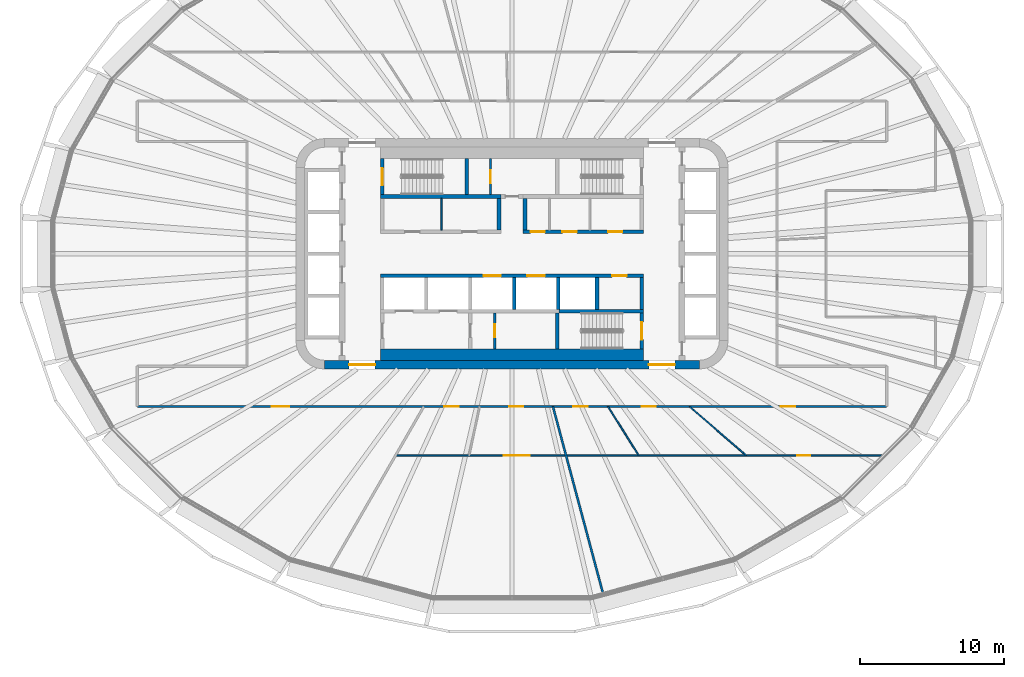
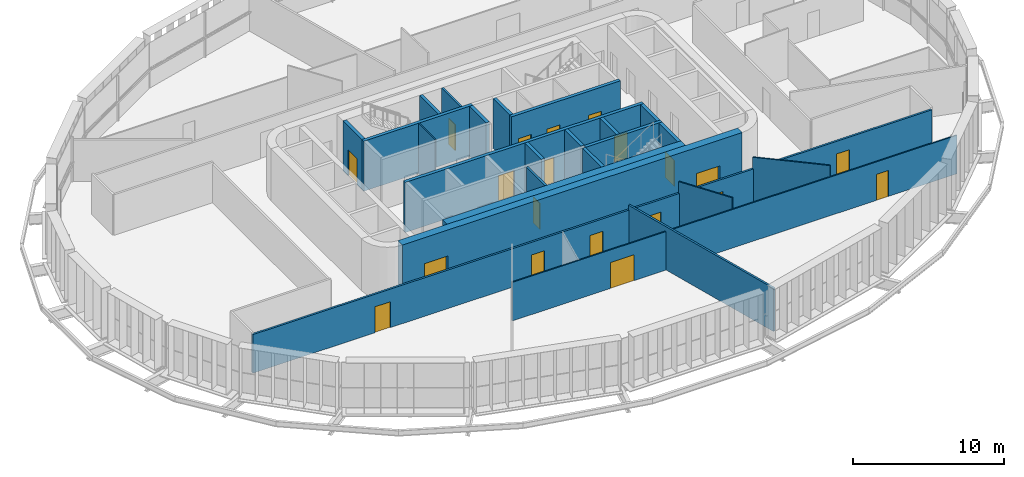
# One storey, part 15 of 25: 24 walls, 20 doors, 20 openings.
"""IFC4 building model written with IfcOpenShell, lengths in metres."""

from ifc_helpers import new_model, si_unit, direction, frame, frame_2d, origin, place, context, subcontext, project, spatial, rectangle, extrude, material, layer, layer_set, type_object, element, fill, save


model = new_model("IFC4")

# Units and contexts
model_context = context("Model", 3, precision=1e-05, world=origin(), true_north=direction((0.0, 1.0)))
body_context = subcontext(model_context, "Body", "Model", "MODEL_VIEW")
ifc_project = project(units=[si_unit("LENGTHUNIT", "METRE"), si_unit("AREAUNIT", "SQUARE_METRE"), si_unit("VOLUMEUNIT", "CUBIC_METRE"), si_unit("PLANEANGLEUNIT", "RADIAN"), si_unit("MASSUNIT", "GRAM", prefix="KILO")], contexts=[model_context])

# Site, building, storey
site_placement = place(None, origin())
site = spatial("IfcSite", under=ifc_project, at=site_placement, CompositionType="ELEMENT")
building_placement = place(site_placement, origin())
building = spatial("IfcBuilding", under=site, at=building_placement, Name="Sahrelin Media Tower", CompositionType="ELEMENT")
storey_placement = place(building_placement, frame((0.0, 0.0, 106.199951171875)))
storey = spatial("IfcBuildingStorey", under=building, at=storey_placement, Name="L20", CompositionType="ELEMENT", Elevation=106.199951171875)

# Wall, openings, doors
ifc_material_1 = material(Name="Concrete C60/75", Category="concrete")
ifc_layer_1 = layer(ifc_material_1, 0.60009765625)
ifc_layer_set_1 = layer_set([ifc_layer_1], Name="Core wall 600")
wall_type_1 = type_object("IfcWallType", Name="Core wall 600", PredefinedType="SHEAR", material=ifc_layer_set_1)
wall_1_placement = place(storey_placement, frame((-13.0, -7.699951171875, 0.0), z_axis=(0.0, 0.0, 1.0), x_axis=(1.0, 0.0, 0.0)))
wall_1 = element("IfcWall", 1, at=wall_1_placement, inside=storey, type_object=wall_type_1, Name="Core wall S L20", PredefinedType="SHEAR", context=body_context, shape_type="SweptSolid", body=[
    extrude(rectangle(XDim=26.0, YDim=0.60009765625, at=frame_2d((13.0, 0.0))), origin(), (0.0, 0.0, 1.0), 4.199951171875),
])
opening_1_placement = place(wall_1_placement, frame((1.699951171875, 0.0, 0.0)))
opening_1 = element("IfcOpeningElement", 2, at=opening_1_placement, cuts=wall_1, Name="Opening L20-D21", PredefinedType="OPENING", context=body_context, shape_type="SweptSolid", body=[
    extrude(rectangle(XDim=1.800048828125, YDim=2.10009765625, at=frame_2d((0.89990234375, 1.050048828125))), frame((0.0, 0.300048828125, 0.0), z_axis=(0.0, -1.0, 0.0), x_axis=(1.0, 0.0, 0.0)), (0.0, 0.0, 1.0), 0.60009765625),
])
opening_2_placement = place(wall_1_placement, frame((22.5, 0.0, 0.0)))
opening_2 = element("IfcOpeningElement", 3, at=opening_2_placement, cuts=wall_1, Name="Opening L20-D22", PredefinedType="OPENING", context=body_context, shape_type="SweptSolid", body=[
    extrude(rectangle(XDim=1.800048828125, YDim=2.10009765625, at=frame_2d((0.89990234375, 1.050048828125))), frame((0.0, 0.300048828125, 0.0), z_axis=(0.0, -1.0, 0.0), x_axis=(1.0, 0.0, 0.0)), (0.0, 0.0, 1.0), 0.60009765625),
])
ifc_material_2 = material(Name="Steel fire door leaf", Category="steel")
door_type_1 = type_object("IfcDoorType", Name="Lobby double door 1800 x 2100 EI 60", OperationType="DOUBLE_DOOR_SINGLE_SWING", PredefinedType="DOOR", material=ifc_material_2)
door_1_placement = place(opening_1_placement, origin())
door_1 = element("IfcDoor", 4, at=door_1_placement, inside=storey, type_object=door_type_1, Name="Lobby door", OperationType="DOUBLE_DOOR_SINGLE_SWING", OverallHeight=2.10009765625, OverallWidth=1.800048828125, PredefinedType="DOOR", context=body_context, shape_type="SweptSolid", body=[
    extrude(rectangle(XDim=1.800048828125, YDim=2.10009765625, at=frame_2d((0.89990234375, 1.050048828125))), frame((0.0, 0.02490234375, 0.0), z_axis=(0.0, -1.0, 0.0), x_axis=(1.0, 0.0, 0.0)), (0.0, 0.0, 1.0), 0.050048828125),
])
fill(opening_1, door_1)
door_2_placement = place(opening_2_placement, origin())
door_2 = element("IfcDoor", 5, at=door_2_placement, inside=storey, type_object=door_type_1, Name="Lobby door", OperationType="DOUBLE_DOOR_SINGLE_SWING", OverallHeight=2.10009765625, OverallWidth=1.800048828125, PredefinedType="DOOR", context=body_context, shape_type="SweptSolid", body=[
    extrude(rectangle(XDim=1.800048828125, YDim=2.10009765625, at=frame_2d((0.89990234375, 1.050048828125))), frame((0.0, 0.02490234375, 0.0), z_axis=(0.0, -1.0, 0.0), x_axis=(1.0, 0.0, 0.0)), (0.0, 0.0, 1.0), 0.050048828125),
])
fill(opening_2, door_2)

ifc_material_3 = material(Name="Fire-rated gypsum board partition")
ifc_layer_2 = layer(ifc_material_3, 0.25)
ifc_layer_set_2 = layer_set([ifc_layer_2], Name="Fire-rated lobby wall 250")
wall_type_2 = type_object("IfcWallType", Name="Fire-rated lobby wall 250", PredefinedType="PARTITIONING", material=ifc_layer_set_2)
wall_2_placement = place(storey_placement, frame((0.77490234375, 1.52490234375, 0.0), z_axis=(0.0, 0.0, 1.0), x_axis=(1.0, 0.0, 0.0)))
wall_2 = element("IfcWall", 6, at=wall_2_placement, inside=storey, type_object=wall_type_2, Name="Core lobby wall", PredefinedType="PARTITIONING", context=body_context, shape_type="SweptSolid", body=[
    extrude(rectangle(XDim=8.35009765625, YDim=0.25, at=frame_2d((4.175048828125, 0.0))), origin(), (0.0, 0.0, 1.0), 4.050048828125),
])
opening_3_placement = place(wall_2_placement, frame((0.512451171875, 0.0, 0.0)))
opening_3 = element("IfcOpeningElement", 7, at=opening_3_placement, cuts=wall_2, Name="Opening L20-D11", PredefinedType="OPENING", context=body_context, shape_type="SweptSolid", body=[
    extrude(rectangle(XDim=1.0, YDim=2.10009765625, at=frame_2d((0.5, 1.050048828125))), frame((0.0, 0.125, 0.0), z_axis=(0.0, -1.0, 0.0), x_axis=(1.0, 0.0, 0.0)), (0.0, 0.0, 1.0), 0.25),
])
opening_4_placement = place(wall_2_placement, frame((2.72509765625, 0.0, 0.0)))
opening_4 = element("IfcOpeningElement", 8, at=opening_4_placement, cuts=wall_2, Name="Opening L20-D12", PredefinedType="OPENING", context=body_context, shape_type="SweptSolid", body=[
    extrude(rectangle(XDim=1.0, YDim=2.10009765625, at=frame_2d((0.5, 1.050048828125))), frame((0.0, 0.125, 0.0), z_axis=(0.0, -1.0, 0.0), x_axis=(1.0, 0.0, 0.0)), (0.0, 0.0, 1.0), 0.25),
])
opening_5_placement = place(wall_2_placement, frame((5.887451171875, 0.0, 0.0)))
opening_5 = element("IfcOpeningElement", 9, at=opening_5_placement, cuts=wall_2, Name="Opening L20-D13", PredefinedType="OPENING", context=body_context, shape_type="SweptSolid", body=[
    extrude(rectangle(XDim=1.0, YDim=2.10009765625, at=frame_2d((0.5, 1.050048828125))), frame((0.0, 0.125, 0.0), z_axis=(0.0, -1.0, 0.0), x_axis=(1.0, 0.0, 0.0)), (0.0, 0.0, 1.0), 0.25),
])
door_type_2 = type_object("IfcDoorType", Name="Fire door 1000 x 2100 EI 60", OperationType="NOTDEFINED", PredefinedType="DOOR", material=ifc_material_2)
door_3_placement = place(opening_3_placement, origin())
door_3 = element("IfcDoor", 10, at=door_3_placement, inside=storey, type_object=door_type_2, Name="Core room door", OperationType="SINGLE_SWING_LEFT", OverallHeight=2.10009765625, OverallWidth=1.0, PredefinedType="DOOR", context=body_context, shape_type="SweptSolid", body=[
    extrude(rectangle(XDim=1.0, YDim=2.10009765625, at=frame_2d((0.5, 1.050048828125))), frame((0.0, 0.02490234375, 0.0), z_axis=(0.0, -1.0, 0.0), x_axis=(1.0, 0.0, 0.0)), (0.0, 0.0, 1.0), 0.050048828125),
])
fill(opening_3, door_3)
door_4_placement = place(opening_4_placement, origin())
door_4 = element("IfcDoor", 11, at=door_4_placement, inside=storey, type_object=door_type_2, Name="Core room door", OperationType="SINGLE_SWING_LEFT", OverallHeight=2.10009765625, OverallWidth=1.0, PredefinedType="DOOR", context=body_context, shape_type="SweptSolid", body=[
    extrude(rectangle(XDim=1.0, YDim=2.10009765625, at=frame_2d((0.5, 1.050048828125))), frame((0.0, 0.02490234375, 0.0), z_axis=(0.0, -1.0, 0.0), x_axis=(1.0, 0.0, 0.0)), (0.0, 0.0, 1.0), 0.050048828125),
])
fill(opening_4, door_4)
door_5_placement = place(opening_5_placement, origin())
door_5 = element("IfcDoor", 12, at=door_5_placement, inside=storey, type_object=door_type_2, Name="Core room door", OperationType="SINGLE_SWING_LEFT", OverallHeight=2.10009765625, OverallWidth=1.0, PredefinedType="DOOR", context=body_context, shape_type="SweptSolid", body=[
    extrude(rectangle(XDim=1.0, YDim=2.10009765625, at=frame_2d((0.5, 1.050048828125))), frame((0.0, 0.02490234375, 0.0), z_axis=(0.0, -1.0, 0.0), x_axis=(1.0, 0.0, 0.0)), (0.0, 0.0, 1.0), 0.050048828125),
])
fill(opening_5, door_5)

# Walls
for number, where, z_axis, x_axis, name in (
    (13, (-0.89990234375, 1.64990234375, 0.0), (0.0, 0.0, 1.0), (0.0, 1.0, 0.0), "Core lobby wall"),
    (14, (0.89990234375, 1.64990234375, 0.0), (0.0, 0.0, 1.0), (0.0, 1.0, 0.0), "Core lobby wall"),
):
    element("IfcWall", number, at=place(storey_placement, frame(where, z_axis=z_axis, x_axis=x_axis)), inside=storey, type_object=wall_type_2, Name=name, PredefinedType="PARTITIONING", context=body_context, shape_type="SweptSolid", body=[
        extrude(rectangle(XDim=2.2001953125, YDim=0.25, at=frame_2d((1.10009765625, 0.0))), origin(), (0.0, 0.0, 1.0), 4.050048828125),
    ])
ifc_layer_3 = layer(ifc_material_3, 0.10009765625)
ifc_layer_set_3 = layer_set([ifc_layer_3], Name="Fire-rated partition 100")
wall_type_3 = type_object("IfcWallType", Name="Fire-rated partition 100", PredefinedType="PARTITIONING", material=ifc_layer_set_3)
wall_3_placement = place(storey_placement, frame((-4.89990234375, 1.64990234375, 0.0), z_axis=(0.0, 0.0, 1.0), x_axis=(0.0, 1.0, 0.0)))
element("IfcWall", 15, at=wall_3_placement, inside=storey, type_object=wall_type_3, Name="Core room partition", PredefinedType="PARTITIONING", context=body_context, shape_type="SweptSolid", body=[
    extrude(rectangle(XDim=2.2001953125, YDim=0.10009765625, at=frame_2d((1.10009765625, 0.0))), origin(), (0.0, 0.0, 1.0), 4.050048828125),
])

# Wall, opening, door
ifc_layer_4 = layer(ifc_material_3, 0.14990234375)
ifc_layer_set_4 = layer_set([ifc_layer_4], Name="Fire-rated partition 150")
wall_type_4 = type_object("IfcWallType", Name="Fire-rated partition 150", PredefinedType="PARTITIONING", material=ifc_layer_set_4)
wall_4_placement = place(storey_placement, frame((-1.5, 4.10009765625, 0.0), z_axis=(0.0, 0.0, 1.0), x_axis=(0.0, 1.0, 0.0)))
wall_4 = element("IfcWall", 16, at=wall_4_placement, inside=storey, type_object=wall_type_4, Name="Core room fire partition", PredefinedType="PARTITIONING", context=body_context, shape_type="SweptSolid", body=[
    extrude(rectangle(XDim=2.5, YDim=0.14990234375, at=frame_2d((1.25, 0.0))), origin(), (0.0, 0.0, 1.0), 4.050048828125),
])
opening_6_placement = place(wall_4_placement, frame((0.800048828125, 0.0, 0.0)))
opening_6 = element("IfcOpeningElement", 17, at=opening_6_placement, cuts=wall_4, Name="Opening L20-D07", PredefinedType="OPENING", context=body_context, shape_type="SweptSolid", body=[
    extrude(rectangle(XDim=0.89990234375, YDim=2.10009765625, at=frame_2d((0.449951171875, 1.050048828125))), frame((0.0, 0.074951171875, 0.0), z_axis=(0.0, -1.0, 0.0), x_axis=(1.0, 0.0, 0.0)), (0.0, 0.0, 1.0), 0.14990234375),
])
door_type_3 = type_object("IfcDoorType", Name="Fire door 900 x 2100 EI 60", OperationType="NOTDEFINED", PredefinedType="DOOR", material=ifc_material_2)
door_6_placement = place(opening_6_placement, origin())
door_6 = element("IfcDoor", 18, at=door_6_placement, inside=storey, type_object=door_type_3, Name="Core room door", OperationType="SINGLE_SWING_LEFT", OverallHeight=2.10009765625, OverallWidth=0.89990234375, PredefinedType="DOOR", context=body_context, shape_type="SweptSolid", body=[
    extrude(rectangle(XDim=0.89990234375, YDim=2.10009765625, at=frame_2d((0.449951171875, 1.050048828125))), frame((0.0, 0.02490234375, 0.0), z_axis=(0.0, -1.0, 0.0), x_axis=(1.0, 0.0, 0.0)), (0.0, 0.0, 1.0), 0.050048828125),
])
fill(opening_6, door_6)

wall_5_placement = place(storey_placement, frame((-1.199951171875, -6.60009765625, 0.0), z_axis=(0.0, 0.0, 1.0), x_axis=(0.0, 1.0, 0.0)))
wall_5 = element("IfcWall", 19, at=wall_5_placement, inside=storey, type_object=wall_type_4, Name="Core room fire partition", PredefinedType="PARTITIONING", context=body_context, shape_type="SweptSolid", body=[
    extrude(rectangle(XDim=2.5, YDim=0.14990234375, at=frame_2d((1.25, 0.0))), origin(), (0.0, 0.0, 1.0), 4.050048828125),
])
opening_7_placement = place(wall_5_placement, frame((0.800048828125, 0.0, 0.0)))
opening_7 = element("IfcOpeningElement", 20, at=opening_7_placement, cuts=wall_5, Name="Opening L20-D08", PredefinedType="OPENING", context=body_context, shape_type="SweptSolid", body=[
    extrude(rectangle(XDim=0.89990234375, YDim=2.10009765625, at=frame_2d((0.449951171875, 1.050048828125))), frame((0.0, 0.074951171875, 0.0), z_axis=(0.0, -1.0, 0.0), x_axis=(1.0, 0.0, 0.0)), (0.0, 0.0, 1.0), 0.14990234375),
])
door_7_placement = place(opening_7_placement, origin())
door_7 = element("IfcDoor", 21, at=door_7_placement, inside=storey, type_object=door_type_3, Name="Core room door", OperationType="SINGLE_SWING_RIGHT", OverallHeight=2.10009765625, OverallWidth=0.89990234375, PredefinedType="DOOR", context=body_context, shape_type="SweptSolid", body=[
    extrude(rectangle(XDim=0.89990234375, YDim=2.10009765625, at=frame_2d((0.449951171875, 1.050048828125))), frame((0.0, 0.02490234375, 0.0), z_axis=(0.0, -1.0, 0.0), x_axis=(1.0, 0.0, 0.0)), (0.0, 0.0, 1.0), 0.050048828125),
])
fill(opening_7, door_7)

# Wall
wall_6_placement = place(storey_placement, frame((2.840087890625, -10.60009765625, 0.0), z_axis=(0.0, 0.0, 1.0), x_axis=(0.258826294763, -0.965923883719, 0.0)))
element("IfcWall", 22, at=wall_6_placement, inside=storey, type_object=wall_type_4, Name="Wall", PredefinedType="PARTITIONING", context=body_context, shape_type="SweptSolid", body=[
    extrude(rectangle(XDim=13.617919921875, YDim=0.14990234375, at=frame_2d((6.80908203125, 0.0))), origin(), (0.0, 0.0, 1.0), 3.501708984375),
])

# Wall, openings, doors
wall_7_placement = place(storey_placement, frame((-26.0, -10.60009765625, 0.0), z_axis=(0.0, 0.0, 1.0), x_axis=(1.0, 0.0, 0.0)))
wall_7 = element("IfcWall", 23, at=wall_7_placement, inside=storey, type_object=wall_type_4, Name="Wall", PredefinedType="PARTITIONING", context=body_context, shape_type="SweptSolid", body=[
    extrude(rectangle(XDim=52.0, YDim=0.14990234375, at=frame_2d((26.0, 0.0))), origin(), (0.0, 0.0, 1.0), 3.1181640625),
])
opening_8_placement = place(wall_7_placement, frame((9.340087890625, 0.0, 0.0)))
opening_8 = element("IfcOpeningElement", 24, at=opening_8_placement, cuts=wall_7, Name="Opening L20-D30", PredefinedType="OPENING", context=body_context, shape_type="SweptSolid", body=[
    extrude(rectangle(XDim=1.199951171875, YDim=2.10009765625, at=frame_2d((0.60009765625, 1.050048828125))), frame((0.0, 0.074951171875, 0.0), z_axis=(0.0, -1.0, 0.0), x_axis=(1.0, 0.0, 0.0)), (0.0, 0.0, 1.0), 0.14990234375),
])
opening_9_placement = place(wall_7_placement, frame((21.3134765625, 0.0, 0.0)))
opening_9 = element("IfcOpeningElement", 25, at=opening_9_placement, cuts=wall_7, Name="Opening L20-D31", PredefinedType="OPENING", context=body_context, shape_type="SweptSolid", body=[
    extrude(rectangle(XDim=1.0, YDim=2.10009765625, at=frame_2d((0.5, 1.050048828125))), frame((0.0, 0.074951171875, 0.0), z_axis=(0.0, -1.0, 0.0), x_axis=(1.0, 0.0, 0.0)), (0.0, 0.0, 1.0), 0.14990234375),
])
opening_10_placement = place(wall_7_placement, frame((25.79345703125, 0.0, 0.0)))
opening_10 = element("IfcOpeningElement", 26, at=opening_10_placement, cuts=wall_7, Name="Opening L20-D32", PredefinedType="OPENING", context=body_context, shape_type="SweptSolid", body=[
    extrude(rectangle(XDim=1.0, YDim=2.10009765625, at=frame_2d((0.5, 1.050048828125))), frame((0.0, 0.074951171875, 0.0), z_axis=(0.0, -1.0, 0.0), x_axis=(1.0, 0.0, 0.0)), (0.0, 0.0, 1.0), 0.14990234375),
])
opening_11_placement = place(wall_7_placement, frame((30.25, 0.0, 0.0)))
opening_11 = element("IfcOpeningElement", 27, at=opening_11_placement, cuts=wall_7, Name="Opening L20-D34", PredefinedType="OPENING", context=body_context, shape_type="SweptSolid", body=[
    extrude(rectangle(XDim=1.0, YDim=2.10009765625, at=frame_2d((0.5, 1.050048828125))), frame((0.0, 0.074951171875, 0.0), z_axis=(0.0, -1.0, 0.0), x_axis=(1.0, 0.0, 0.0)), (0.0, 0.0, 1.0), 0.14990234375),
])
opening_12_placement = place(wall_7_placement, frame((34.988525390625, 0.0, 0.0)))
opening_12 = element("IfcOpeningElement", 28, at=opening_12_placement, cuts=wall_7, Name="Opening L20-D35", PredefinedType="OPENING", context=body_context, shape_type="SweptSolid", body=[
    extrude(rectangle(XDim=1.0, YDim=2.10009765625, at=frame_2d((0.5, 1.050048828125))), frame((0.0, 0.074951171875, 0.0), z_axis=(0.0, -1.0, 0.0), x_axis=(1.0, 0.0, 0.0)), (0.0, 0.0, 1.0), 0.14990234375),
])
opening_13_placement = place(wall_7_placement, frame((44.658447265625, 0.0, 0.0)))
opening_13 = element("IfcOpeningElement", 29, at=opening_13_placement, cuts=wall_7, Name="Opening L20-D36", PredefinedType="OPENING", context=body_context, shape_type="SweptSolid", body=[
    extrude(rectangle(XDim=1.0, YDim=2.10009765625, at=frame_2d((0.5, 1.050048828125))), frame((0.0, 0.074951171875, 0.0), z_axis=(0.0, -1.0, 0.0), x_axis=(1.0, 0.0, 0.0)), (0.0, 0.0, 1.0), 0.14990234375),
])
door_8_placement = place(opening_9_placement, origin())
door_8 = element("IfcDoor", 30, at=door_8_placement, inside=storey, type_object=door_type_2, Name="Fire door", OperationType="SINGLE_SWING_RIGHT", OverallHeight=2.10009765625, OverallWidth=1.0, PredefinedType="DOOR", context=body_context, shape_type="SweptSolid", body=[
    extrude(rectangle(XDim=1.0, YDim=2.10009765625, at=frame_2d((0.5, 1.050048828125))), frame((0.0, 0.02490234375, 0.0), z_axis=(0.0, -1.0, 0.0), x_axis=(1.0, 0.0, 0.0)), (0.0, 0.0, 1.0), 0.050048828125),
])
fill(opening_9, door_8)
door_9_placement = place(opening_10_placement, origin())
door_9 = element("IfcDoor", 31, at=door_9_placement, inside=storey, type_object=door_type_2, Name="Fire door", OperationType="SINGLE_SWING_RIGHT", OverallHeight=2.10009765625, OverallWidth=1.0, PredefinedType="DOOR", context=body_context, shape_type="SweptSolid", body=[
    extrude(rectangle(XDim=1.0, YDim=2.10009765625, at=frame_2d((0.5, 1.050048828125))), frame((0.0, 0.02490234375, 0.0), z_axis=(0.0, -1.0, 0.0), x_axis=(1.0, 0.0, 0.0)), (0.0, 0.0, 1.0), 0.050048828125),
])
fill(opening_10, door_9)
door_10_placement = place(opening_11_placement, origin())
door_10 = element("IfcDoor", 32, at=door_10_placement, inside=storey, type_object=door_type_2, Name="Fire door", OperationType="SINGLE_SWING_RIGHT", OverallHeight=2.10009765625, OverallWidth=1.0, PredefinedType="DOOR", context=body_context, shape_type="SweptSolid", body=[
    extrude(rectangle(XDim=1.0, YDim=2.10009765625, at=frame_2d((0.5, 1.050048828125))), frame((0.0, 0.02490234375, 0.0), z_axis=(0.0, -1.0, 0.0), x_axis=(1.0, 0.0, 0.0)), (0.0, 0.0, 1.0), 0.050048828125),
])
fill(opening_11, door_10)
door_11_placement = place(opening_12_placement, origin())
door_11 = element("IfcDoor", 33, at=door_11_placement, inside=storey, type_object=door_type_2, Name="Fire door", OperationType="SINGLE_SWING_LEFT", OverallHeight=2.10009765625, OverallWidth=1.0, PredefinedType="DOOR", context=body_context, shape_type="SweptSolid", body=[
    extrude(rectangle(XDim=1.0, YDim=2.10009765625, at=frame_2d((0.5, 1.050048828125))), frame((0.0, 0.02490234375, 0.0), z_axis=(0.0, -1.0, 0.0), x_axis=(1.0, 0.0, 0.0)), (0.0, 0.0, 1.0), 0.050048828125),
])
fill(opening_12, door_11)
door_12_placement = place(opening_13_placement, origin())
door_12 = element("IfcDoor", 34, at=door_12_placement, inside=storey, type_object=door_type_2, Name="Fire door", OperationType="SINGLE_SWING_RIGHT", OverallHeight=2.10009765625, OverallWidth=1.0, PredefinedType="DOOR", context=body_context, shape_type="SweptSolid", body=[
    extrude(rectangle(XDim=1.0, YDim=2.10009765625, at=frame_2d((0.5, 1.050048828125))), frame((0.0, 0.02490234375, 0.0), z_axis=(0.0, -1.0, 0.0), x_axis=(1.0, 0.0, 0.0)), (0.0, 0.0, 1.0), 0.050048828125),
])
fill(opening_13, door_12)
door_type_4 = type_object("IfcDoorType", Name="Service double door 1200 x 2100 EI 60", OperationType="DOUBLE_DOOR_SINGLE_SWING", PredefinedType="DOOR", material=ifc_material_2)
door_13_placement = place(opening_8_placement, origin())
door_13 = element("IfcDoor", 35, at=door_13_placement, inside=storey, type_object=door_type_4, Name="Service double door", OperationType="DOUBLE_DOOR_SINGLE_SWING", OverallHeight=2.10009765625, OverallWidth=1.199951171875, PredefinedType="DOOR", context=body_context, shape_type="SweptSolid", body=[
    extrude(rectangle(XDim=1.199951171875, YDim=2.10009765625, at=frame_2d((0.60009765625, 1.050048828125))), frame((0.0, 0.02490234375, 0.0), z_axis=(0.0, -1.0, 0.0), x_axis=(1.0, 0.0, 0.0)), (0.0, 0.0, 1.0), 0.050048828125),
])
fill(opening_8, door_13)

ifc_layer_5 = layer(ifc_material_1, 0.25)
ifc_layer_set_5 = layer_set([ifc_layer_5], Name="Lift shaft wall 250")
wall_type_5 = type_object("IfcWallType", Name="Lift shaft wall 250", PredefinedType="SOLIDWALL", material=ifc_layer_set_5)
wall_8_placement = place(storey_placement, frame((-9.125, -1.52490234375, 0.0), z_axis=(0.0, 0.0, 1.0), x_axis=(1.0, 0.0, 0.0)))
wall_8 = element("IfcWall", 36, at=wall_8_placement, inside=storey, type_object=wall_type_5, Name="Lift shaft wall", PredefinedType="SOLIDWALL", context=body_context, shape_type="SweptSolid", body=[
    extrude(rectangle(XDim=18.25, YDim=0.25, at=frame_2d((9.125, 0.0))), origin(), (0.0, 0.0, 1.0), 4.050048828125),
])
opening_14_placement = place(wall_8_placement, frame((7.14990234375, 0.0, 0.0)))
opening_14 = element("IfcOpeningElement", 37, at=opening_14_placement, cuts=wall_8, Name="Opening L20-LD-SV1", PredefinedType="OPENING", context=body_context, shape_type="SweptSolid", body=[
    extrude(rectangle(XDim=1.199951171875, YDim=2.10009765625, at=frame_2d((0.60009765625, 1.050048828125))), frame((0.0, 0.125, 0.0), z_axis=(0.0, -1.0, 0.0), x_axis=(1.0, 0.0, 0.0)), (0.0, 0.0, 1.0), 0.25),
])
opening_15_placement = place(wall_8_placement, frame((10.199951171875, 0.0, 0.0)))
opening_15 = element("IfcOpeningElement", 38, at=opening_15_placement, cuts=wall_8, Name="Opening L20-LD-SV2", PredefinedType="OPENING", context=body_context, shape_type="SweptSolid", body=[
    extrude(rectangle(XDim=1.199951171875, YDim=2.10009765625, at=frame_2d((0.60009765625, 1.050048828125))), frame((0.0, 0.125, 0.0), z_axis=(0.0, -1.0, 0.0), x_axis=(1.0, 0.0, 0.0)), (0.0, 0.0, 1.0), 0.25),
])
opening_16_placement = place(wall_8_placement, frame((16.074951171875, 0.0, 0.0)))
opening_16 = element("IfcOpeningElement", 39, at=opening_16_placement, cuts=wall_8, Name="Opening L20-D14", PredefinedType="OPENING", context=body_context, shape_type="SweptSolid", body=[
    extrude(rectangle(XDim=1.0, YDim=2.10009765625, at=frame_2d((0.5, 1.050048828125))), frame((0.0, 0.125, 0.0), z_axis=(0.0, -1.0, 0.0), x_axis=(1.0, 0.0, 0.0)), (0.0, 0.0, 1.0), 0.25),
])
door_14_placement = place(opening_16_placement, origin())
door_14 = element("IfcDoor", 40, at=door_14_placement, inside=storey, type_object=door_type_2, Name="Core room door", OperationType="SINGLE_SWING_RIGHT", OverallHeight=2.10009765625, OverallWidth=1.0, PredefinedType="DOOR", context=body_context, shape_type="SweptSolid", body=[
    extrude(rectangle(XDim=1.0, YDim=2.10009765625, at=frame_2d((0.5, 1.050048828125))), frame((0.0, 0.02490234375, 0.0), z_axis=(0.0, -1.0, 0.0), x_axis=(1.0, 0.0, 0.0)), (0.0, 0.0, 1.0), 0.050048828125),
])
fill(opening_16, door_14)
ifc_material_4 = material(Name="Stainless steel", Category="steel")
door_type_5 = type_object("IfcDoorType", Name="Lift landing door 1200 x 2100 EI 120", OperationType="DOUBLE_DOOR_SLIDING", PredefinedType="DOOR", material=ifc_material_4)
door_15_placement = place(opening_14_placement, origin())
door_15 = element("IfcDoor", 41, at=door_15_placement, inside=storey, type_object=door_type_5, Name="Lift landing door SV1", OperationType="DOUBLE_DOOR_SLIDING", OverallHeight=2.10009765625, OverallWidth=1.199951171875, PredefinedType="DOOR", context=body_context, shape_type="SweptSolid", body=[
    extrude(rectangle(XDim=1.199951171875, YDim=2.10009765625, at=frame_2d((0.60009765625, 1.050048828125))), frame((0.0, 0.02490234375, 0.0), z_axis=(0.0, -1.0, 0.0), x_axis=(1.0, 0.0, 0.0)), (0.0, 0.0, 1.0), 0.050048828125),
])
fill(opening_14, door_15)
door_16_placement = place(opening_15_placement, origin())
door_16 = element("IfcDoor", 42, at=door_16_placement, inside=storey, type_object=door_type_5, Name="Lift landing door SV2", OperationType="DOUBLE_DOOR_SLIDING", OverallHeight=2.10009765625, OverallWidth=1.199951171875, PredefinedType="DOOR", context=body_context, shape_type="SweptSolid", body=[
    extrude(rectangle(XDim=1.199951171875, YDim=2.10009765625, at=frame_2d((0.60009765625, 1.050048828125))), frame((0.0, 0.02490234375, 0.0), z_axis=(0.0, -1.0, 0.0), x_axis=(1.0, 0.0, 0.0)), (0.0, 0.0, 1.0), 0.050048828125),
])
fill(opening_15, door_16)

# Walls
wall_9_placement = place(storey_placement, frame((3.27490234375, -3.97509765625, 0.0), z_axis=(0.0, 0.0, 1.0), x_axis=(1.0, 0.0, 0.0)))
element("IfcWall", 43, at=wall_9_placement, inside=storey, type_object=wall_type_5, Name="Lift shaft wall", PredefinedType="SOLIDWALL", context=body_context, shape_type="SweptSolid", body=[
    extrude(rectangle(XDim=5.85009765625, YDim=0.25, at=frame_2d((2.925048828125, 0.0))), origin(), (0.0, 0.0, 1.0), 4.050048828125),
])
for number, where, z_axis, x_axis, name in (
    (44, (0.14990234375, -3.85009765625, 0.0), (0.0, 0.0, 1.0), (0.0, 1.0, 0.0), "Lift shaft wall"),
    (45, (3.199951171875, -3.85009765625, 0.0), (0.0, 0.0, 1.0), (0.0, 1.0, 0.0), "Lift shaft wall"),
    (46, (5.89990234375, -3.85009765625, 0.0), (0.0, 0.0, 1.0), (0.0, 1.0, 0.0), "Lift shaft wall"),
    (47, (9.0, -3.85009765625, 0.0), (0.0, 0.0, 1.0), (0.0, 1.0, 0.0), "Lift shaft wall"),
):
    element("IfcWall", number, at=place(storey_placement, frame(where, z_axis=z_axis, x_axis=x_axis)), inside=storey, type_object=wall_type_5, Name=name, PredefinedType="SOLIDWALL", context=body_context, shape_type="SweptSolid", body=[
        extrude(rectangle(XDim=2.2001953125, YDim=0.25, at=frame_2d((1.10009765625, 0.0))), origin(), (0.0, 0.0, 1.0), 4.050048828125),
    ])
ifc_material_5 = material(Name="Gypsum board partition")
ifc_layer_6 = layer(ifc_material_5, 0.10009765625)
ifc_layer_set_6 = layer_set([ifc_layer_6], Name="Partition 100")
wall_type_6 = type_object("IfcWallType", Name="Partition 100", PredefinedType="PARTITIONING", material=ifc_layer_set_6)
wall_10_placement = place(storey_placement, frame((6.659912109375, -10.60009765625, 0.0), z_axis=(0.0, 0.0, 1.0), x_axis=(0.532193956065, -0.846622461979, 0.0)))
element("IfcWall", 48, at=wall_10_placement, inside=storey, type_object=wall_type_6, Name="Wall", PredefinedType="PARTITIONING", context=body_context, shape_type="SweptSolid", body=[
    extrude(rectangle(XDim=4.015869140625, YDim=0.10009765625, at=frame_2d((2.0078125, 0.0))), origin(), (0.0, 0.0, 1.0), 4.050048828125),
])
wall_11_placement = place(storey_placement, frame((12.31689453125, -10.60009765625, 0.0), z_axis=(0.0, 0.0, 1.0), x_axis=(0.758005488553, -0.652248173109, 0.0)))
element("IfcWall", 49, at=wall_11_placement, inside=storey, type_object=wall_type_6, Name="Wall", PredefinedType="PARTITIONING", context=body_context, shape_type="SweptSolid", body=[
    extrude(rectangle(XDim=5.212646484375, YDim=0.10009765625, at=frame_2d((2.6064453125, 0.0))), origin(), (0.0, 0.0, 1.0), 4.050048828125),
])

# Wall, openings, doors
wall_12_placement = place(storey_placement, frame((-8.0830078125, -14.0, 0.0), z_axis=(0.0, 0.0, 1.0), x_axis=(1.0, 0.0, 0.0)))
wall_12 = element("IfcWall", 50, at=wall_12_placement, inside=storey, type_object=wall_type_6, Name="Wall", PredefinedType="PARTITIONING", context=body_context, shape_type="SweptSolid", body=[
    extrude(rectangle(XDim=34.02392578125, YDim=0.10009765625, at=frame_2d((17.011962890625, 0.0))), origin(), (0.0, 0.0, 1.0), 3.1181640625),
])
opening_17_placement = place(wall_12_placement, frame((7.52001953125, 0.0, 0.0)))
opening_17 = element("IfcOpeningElement", 51, at=opening_17_placement, cuts=wall_12, Name="Opening L20-D33", PredefinedType="OPENING", context=body_context, shape_type="SweptSolid", body=[
    extrude(rectangle(XDim=1.800048828125, YDim=2.10009765625, at=frame_2d((0.89990234375, 1.050048828125))), frame((0.0, 0.050048828125, 0.0), z_axis=(0.0, -1.0, 0.0), x_axis=(1.0, 0.0, 0.0)), (0.0, 0.0, 1.0), 0.10009765625),
])
opening_18_placement = place(wall_12_placement, frame((27.879150390625, 0.0, 0.0)))
opening_18 = element("IfcOpeningElement", 52, at=opening_18_placement, cuts=wall_12, Name="Opening L20-D37", PredefinedType="OPENING", context=body_context, shape_type="SweptSolid", body=[
    extrude(rectangle(XDim=0.89990234375, YDim=2.10009765625, at=frame_2d((0.449951171875, 1.050048828125))), frame((0.0, 0.050048828125, 0.0), z_axis=(0.0, -1.0, 0.0), x_axis=(1.0, 0.0, 0.0)), (0.0, 0.0, 1.0), 0.10009765625),
])
ifc_material_6 = material(Name="Timber door leaf", Category="wood")
door_type_6 = type_object("IfcDoorType", Name="Double door 1800 x 2100", OperationType="DOUBLE_DOOR_SINGLE_SWING", PredefinedType="DOOR", material=ifc_material_6)
door_17_placement = place(opening_17_placement, origin())
door_17 = element("IfcDoor", 53, at=door_17_placement, inside=storey, type_object=door_type_6, Name="Double door", OperationType="DOUBLE_DOOR_SINGLE_SWING", OverallHeight=2.10009765625, OverallWidth=1.800048828125, PredefinedType="DOOR", context=body_context, shape_type="SweptSolid", body=[
    extrude(rectangle(XDim=1.800048828125, YDim=2.10009765625, at=frame_2d((0.89990234375, 1.050048828125))), frame((0.0, 0.02490234375, 0.0), z_axis=(0.0, -1.0, 0.0), x_axis=(1.0, 0.0, 0.0)), (0.0, 0.0, 1.0), 0.050048828125),
])
fill(opening_17, door_17)
door_type_7 = type_object("IfcDoorType", Name="Single door 900 x 2100", OperationType="NOTDEFINED", PredefinedType="DOOR", material=ifc_material_6)
door_18_placement = place(opening_18_placement, origin())
door_18 = element("IfcDoor", 54, at=door_18_placement, inside=storey, type_object=door_type_7, Name="Single door", OperationType="SINGLE_SWING_LEFT", OverallHeight=2.10009765625, OverallWidth=0.89990234375, PredefinedType="DOOR", context=body_context, shape_type="SweptSolid", body=[
    extrude(rectangle(XDim=0.89990234375, YDim=2.10009765625, at=frame_2d((0.449951171875, 1.050048828125))), frame((0.0, 0.02490234375, 0.0), z_axis=(0.0, -1.0, 0.0), x_axis=(1.0, 0.0, 0.0)), (0.0, 0.0, 1.0), 0.050048828125),
])
fill(opening_18, door_18)

# Wall, opening, door
ifc_layer_7 = layer(ifc_material_1, 0.25)
ifc_layer_set_7 = layer_set([ifc_layer_7], Name="Stair enclosure wall 250")
wall_type_7 = type_object("IfcWallType", Name="Stair enclosure wall 250", PredefinedType="SOLIDWALL", material=ifc_layer_set_7)
wall_13_placement = place(storey_placement, frame((-9.0, 4.10009765625, 0.0), z_axis=(0.0, 0.0, 1.0), x_axis=(0.0, 1.0, 0.0)))
wall_13 = element("IfcWall", 55, at=wall_13_placement, inside=storey, type_object=wall_type_7, Name="Stair enclosure wall", PredefinedType="SOLIDWALL", context=body_context, shape_type="SweptSolid", body=[
    extrude(rectangle(XDim=2.5, YDim=0.25, at=frame_2d((1.25, 0.0))), origin(), (0.0, 0.0, 1.0), 4.050048828125),
])
opening_19_placement = place(wall_13_placement, frame((0.64990234375, 0.0, 0.0)))
opening_19 = element("IfcOpeningElement", 56, at=opening_19_placement, cuts=wall_13, Name="Opening L20-D01", PredefinedType="OPENING", context=body_context, shape_type="SweptSolid", body=[
    extrude(rectangle(XDim=1.199951171875, YDim=2.10009765625, at=frame_2d((0.60009765625, 1.050048828125))), frame((0.0, 0.125, 0.0), z_axis=(0.0, -1.0, 0.0), x_axis=(1.0, 0.0, 0.0)), (0.0, 0.0, 1.0), 0.25),
])
door_type_8 = type_object("IfcDoorType", Name="Stair door 1200 x 2100 EI 120", OperationType="NOTDEFINED", PredefinedType="DOOR", material=ifc_material_2)
door_19_placement = place(opening_19_placement, origin())
door_19 = element("IfcDoor", 57, at=door_19_placement, inside=storey, type_object=door_type_8, Name="Stair door ST1", OperationType="SINGLE_SWING_RIGHT", OverallHeight=2.10009765625, OverallWidth=1.199951171875, PredefinedType="DOOR", context=body_context, shape_type="SweptSolid", body=[
    extrude(rectangle(XDim=1.199951171875, YDim=2.10009765625, at=frame_2d((0.60009765625, 1.050048828125))), frame((0.0, 0.02490234375, 0.0), z_axis=(0.0, -1.0, 0.0), x_axis=(1.0, 0.0, 0.0)), (0.0, 0.0, 1.0), 0.050048828125),
])
fill(opening_19, door_19)

wall_14_placement = place(storey_placement, frame((9.0, -6.60009765625, 0.0), z_axis=(0.0, 0.0, 1.0), x_axis=(0.0, 1.0, 0.0)))
wall_14 = element("IfcWall", 58, at=wall_14_placement, inside=storey, type_object=wall_type_7, Name="Stair enclosure wall", PredefinedType="SOLIDWALL", context=body_context, shape_type="SweptSolid", body=[
    extrude(rectangle(XDim=2.5, YDim=0.25, at=frame_2d((1.25, 0.0))), origin(), (0.0, 0.0, 1.0), 4.050048828125),
])
opening_20_placement = place(wall_14_placement, frame((0.64990234375, 0.0, 0.0)))
opening_20 = element("IfcOpeningElement", 59, at=opening_20_placement, cuts=wall_14, Name="Opening L20-D03", PredefinedType="OPENING", context=body_context, shape_type="SweptSolid", body=[
    extrude(rectangle(XDim=1.199951171875, YDim=2.10009765625, at=frame_2d((0.60009765625, 1.050048828125))), frame((0.0, 0.125, 0.0), z_axis=(0.0, -1.0, 0.0), x_axis=(1.0, 0.0, 0.0)), (0.0, 0.0, 1.0), 0.25),
])
door_20_placement = place(opening_20_placement, origin())
door_20 = element("IfcDoor", 60, at=door_20_placement, inside=storey, type_object=door_type_8, Name="Stair door ST2", OperationType="SINGLE_SWING_LEFT", OverallHeight=2.10009765625, OverallWidth=1.199951171875, PredefinedType="DOOR", context=body_context, shape_type="SweptSolid", body=[
    extrude(rectangle(XDim=1.199951171875, YDim=2.10009765625, at=frame_2d((0.60009765625, 1.050048828125))), frame((0.0, 0.02490234375, 0.0), z_axis=(0.0, -1.0, 0.0), x_axis=(1.0, 0.0, 0.0)), (0.0, 0.0, 1.0), 0.050048828125),
])
fill(opening_20, door_20)

# Walls
for number, where, z_axis, x_axis, name in (
    (61, (-3.14990234375, 4.10009765625, 0.0), (0.0, 0.0, 1.0), (0.0, 1.0, 0.0), "Stair enclosure wall"),
    (62, (3.14990234375, -6.60009765625, 0.0), (0.0, 0.0, 1.0), (0.0, 1.0, 0.0), "Stair enclosure wall"),
):
    element("IfcWall", number, at=place(storey_placement, frame(where, z_axis=z_axis, x_axis=x_axis)), inside=storey, type_object=wall_type_7, Name=name, PredefinedType="SOLIDWALL", context=body_context, shape_type="SweptSolid", body=[
        extrude(rectangle(XDim=2.5, YDim=0.25, at=frame_2d((1.25, 0.0))), origin(), (0.0, 0.0, 1.0), 4.050048828125),
    ])
wall_15_placement = place(storey_placement, frame((-9.125, 3.97509765625, 0.0), z_axis=(0.0, 0.0, 1.0), x_axis=(1.0, 0.0, 0.0)))
element("IfcWall", 63, at=wall_15_placement, inside=storey, type_object=wall_type_7, Name="Stair enclosure wall", PredefinedType="SOLIDWALL", context=body_context, shape_type="SweptSolid", body=[
    extrude(rectangle(XDim=8.35009765625, YDim=0.25, at=frame_2d((4.175048828125, 0.0))), origin(), (0.0, 0.0, 1.0), 4.050048828125),
])
ifc_layer_8 = layer(ifc_material_1, 0.800048828125)
ifc_layer_set_8 = layer_set([ifc_layer_8], Name="Stair enclosure wall 800")
wall_type_8 = type_object("IfcWallType", Name="Stair enclosure wall 800", PredefinedType="SOLIDWALL", material=ifc_layer_set_8)
wall_16_placement = place(storey_placement, frame((-9.125, -7.0, 0.0), z_axis=(0.0, 0.0, 1.0), x_axis=(1.0, 0.0, 0.0)))
element("IfcWall", 64, at=wall_16_placement, inside=storey, type_object=wall_type_8, Name="Stair enclosure wall", PredefinedType="SOLIDWALL", context=body_context, shape_type="SweptSolid", body=[
    extrude(rectangle(XDim=18.25, YDim=0.800048828125, at=frame_2d((9.125, 0.0))), origin(), (0.0, 0.0, 1.0), 4.050048828125),
])

save(model, "model.ifc")
